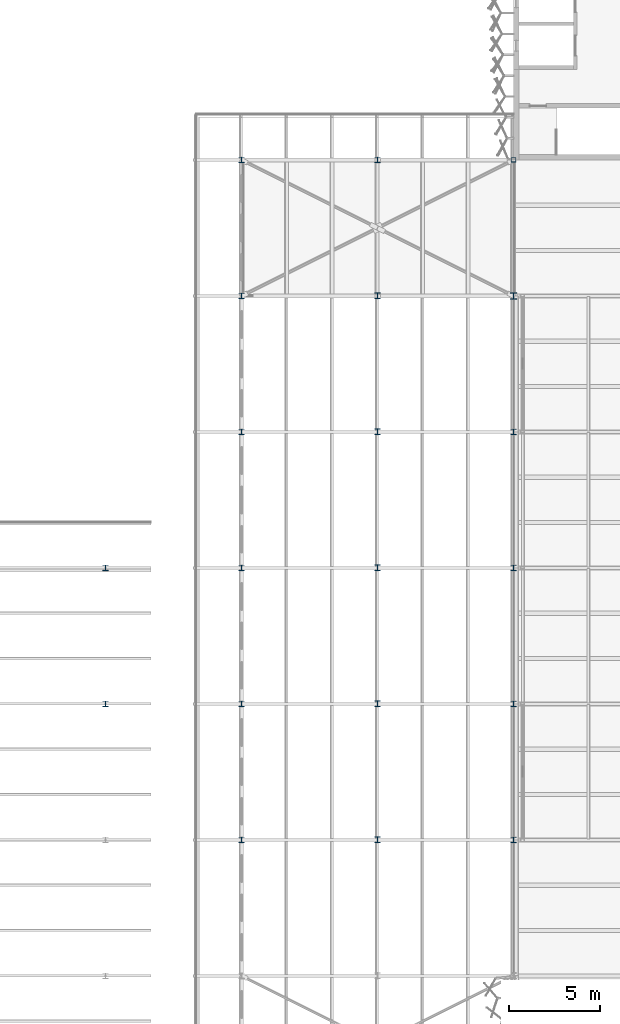
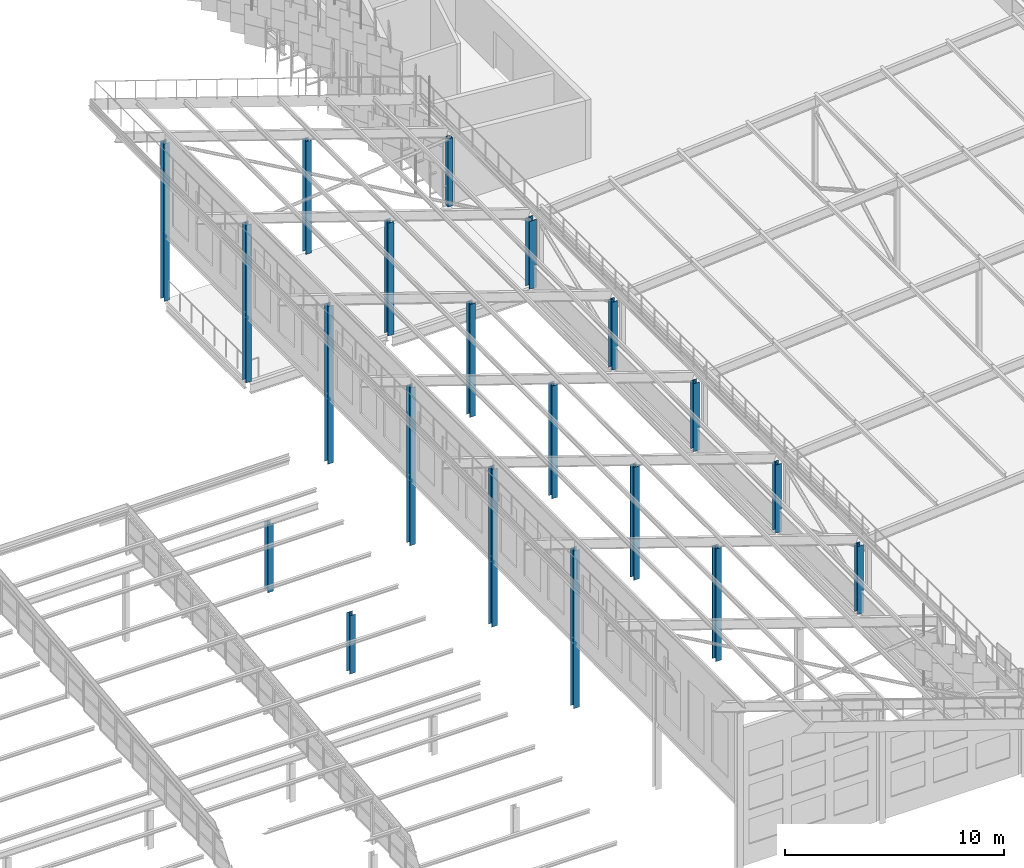
# One storey, part 11 of 483: 20 columns.
"""IFC4 building model written with IfcOpenShell, lengths in metres."""

from ifc_helpers import new_model, si_unit, direction, frame, origin, origin_2d, place, context, subcontext, project, spatial, hollow_rectangle, i_section, extrude, material, material_profile, profile_set, type_object, element, save


model = new_model("IFC4")

# Units and contexts
model_context = context("Model", 3, precision=1e-05, world=origin(), true_north=direction((0.0, 1.0)))
body_context = subcontext(model_context, "Body", "Model", "MODEL_VIEW")
ifc_project = project(units=[si_unit("LENGTHUNIT", "METRE"), si_unit("AREAUNIT", "SQUARE_METRE"), si_unit("VOLUMEUNIT", "CUBIC_METRE"), si_unit("PLANEANGLEUNIT", "RADIAN"), si_unit("MASSUNIT", "GRAM", prefix="KILO")], contexts=[model_context])

# Site, building, storey
site_placement = place(None, origin())
site = spatial("IfcSite", under=ifc_project, at=site_placement, CompositionType="ELEMENT")
building_placement = place(site_placement, origin())
building = spatial("IfcBuilding", under=site, at=building_placement, Name="Parallax Yard Mobility Hub", CompositionType="ELEMENT")
storey_placement = place(building_placement, frame((0.0, 0.0, 13.199951171875)))
storey = spatial("IfcBuildingStorey", under=building, at=storey_placement, Name="L04", CompositionType="ELEMENT", Elevation=13.199951171875)

# Columns
ifc_material_1 = material(Name="Steel ASTM A500 Gr C", Category="steel")
ifc_material_profile_1 = material_profile(ifc_material_1, hollow_rectangle(XDim=0.25390625, YDim=0.25390625, WallThickness=0.0126953125, at=origin_2d()), Name="HSS254x254x12.7")
ifc_profile_set_1 = profile_set([ifc_material_profile_1], Name="Steel ASTM A500 Gr C")
column_type_1 = type_object("IfcColumnType", Name="Roof column HSS254x254x12.7", PredefinedType="COLUMN", material=ifc_profile_set_1)
column_1_placement = place(storey_placement, frame((195.0, 75.0, 0.0), z_axis=(0.0, 0.0, 1.0), x_axis=(1.0, 0.0, 0.0)))
element("IfcColumn", 1, at=column_1_placement, inside=storey, type_object=column_type_1, Name="Roof column 75/195 level L04", PredefinedType="COLUMN", context=body_context, shape_type="SweptSolid", body=[
    extrude(hollow_rectangle(XDim=0.25390625, YDim=0.25390625, WallThickness=0.0126953125, at=origin_2d()), origin(), (0.0, 0.0, 1.0), 3.800048828125),
])
ifc_material_2 = material(Name="Steel ASTM A992", Category="steel")
ifc_material_profile_2 = material_profile(ifc_material_2, i_section(OverallWidth=0.31005859375, OverallDepth=0.327880859375, WebThickness=0.015380859375, FlangeThickness=0.025146484375, FilletRadius=0.015380859375, at=origin_2d()), Name="W310x158")
ifc_profile_set_2 = profile_set([ifc_material_profile_2], Name="Steel ASTM A992")
column_type_2 = type_object("IfcColumnType", Name="W310x158 column", PredefinedType="COLUMN", material=ifc_profile_set_2)
for number, where, z_axis, x_axis, name in (
    (2, (187.5, 37.5, 0.0), (0.0, 0.0, 1.0), (1.0, 0.0, 0.0), "Roof column F/26 level L04"),
    (3, (187.5, 45.0, 0.0), (0.0, 0.0, 1.0), (1.0, 0.0, 0.0), "Roof column G/26 level L04"),
    (4, (187.5, 52.5, 0.0), (0.0, 0.0, 1.0), (1.0, 0.0, 0.0), "Roof column H/26 level L04"),
    (5, (187.5, 60.0, 0.0), (0.0, 0.0, 1.0), (1.0, 0.0, 0.0), "Roof column J/26 level L04"),
    (6, (187.5, 67.5, 0.0), (0.0, 0.0, 1.0), (1.0, 0.0, 0.0), "Roof column K/26 level L04"),
):
    element("IfcColumn", number, at=place(storey_placement, frame(where, z_axis=z_axis, x_axis=x_axis)), inside=storey, type_object=column_type_2, Name=name, PredefinedType="COLUMN", context=body_context, shape_type="SweptSolid", body=[
        extrude(i_section(OverallWidth=0.31005859375, OverallDepth=0.327880859375, WebThickness=0.015380859375, FlangeThickness=0.025146484375, FilletRadius=0.015380859375, at=origin_2d()), origin(), (0.0, 0.0, 1.0), 6.300048828125),
    ])
ifc_material_profile_3 = material_profile(ifc_material_2, i_section(OverallWidth=0.304931640625, OverallDepth=0.306884765625, WebThickness=0.010009765625, FlangeThickness=0.015380859375, FilletRadius=0.01513671875, at=origin_2d()), Name="W310x97")
ifc_profile_set_3 = profile_set([ifc_material_profile_3], Name="Steel ASTM A992")
column_type_3 = type_object("IfcColumnType", Name="W310x97 column", PredefinedType="COLUMN", material=ifc_profile_set_3)
column_2_placement = place(storey_placement, frame((172.5, 45.0, 0.0), z_axis=(0.0, 0.0, 1.0), x_axis=(1.0, 0.0, 0.0)))
element("IfcColumn", 7, at=column_2_placement, inside=storey, type_object=column_type_3, Name="Roof column G/24 level L04", PredefinedType="COLUMN", context=body_context, shape_type="SweptSolid", body=[
    extrude(i_section(OverallWidth=0.304931640625, OverallDepth=0.306884765625, WebThickness=0.010009765625, FlangeThickness=0.015380859375, FilletRadius=0.01513671875, at=origin_2d()), origin(), (0.0, 0.0, 1.0), 3.26171875),
])
column_3_placement = place(storey_placement, frame((172.5, 52.5, 0.0), z_axis=(0.0, 0.0, 1.0), x_axis=(1.0, 0.0, 0.0)))
element("IfcColumn", 8, at=column_3_placement, inside=storey, type_object=column_type_3, Name="Roof column H/24 level L04", PredefinedType="COLUMN", context=body_context, shape_type="SweptSolid", body=[
    extrude(i_section(OverallWidth=0.304931640625, OverallDepth=0.306884765625, WebThickness=0.010009765625, FlangeThickness=0.015380859375, FilletRadius=0.01513671875, at=origin_2d()), origin(), (0.0, 0.0, 1.0), 3.800048828125),
])
for number, where, z_axis, x_axis, name in (
    (9, (180.0, 37.5, 0.0), (0.0, 0.0, 1.0), (1.0, 0.0, 0.0), "Roof column F/25 level L04"),
    (10, (180.0, 45.0, 0.0), (0.0, 0.0, 1.0), (1.0, 0.0, 0.0), "Roof column G/25 level L04"),
    (11, (180.0, 52.5, 0.0), (0.0, 0.0, 1.0), (1.0, 0.0, 0.0), "Roof column H/25 level L04"),
    (12, (180.0, 60.0, 0.0), (0.0, 0.0, 1.0), (1.0, 0.0, 0.0), "Roof column J/25 level L04"),
    (13, (180.0, 67.5, 0.0), (0.0, 0.0, 1.0), (1.0, 0.0, 0.0), "Roof column K/25 level L04"),
    (14, (180.0, 75.0, 0.0), (0.0, 0.0, 1.0), (1.0, 0.0, 0.0), "Roof column L/25 level L04"),
):
    element("IfcColumn", number, at=place(storey_placement, frame(where, z_axis=z_axis, x_axis=x_axis)), inside=storey, type_object=column_type_3, Name=name, PredefinedType="COLUMN", context=body_context, shape_type="SweptSolid", body=[
        extrude(i_section(OverallWidth=0.304931640625, OverallDepth=0.306884765625, WebThickness=0.010009765625, FlangeThickness=0.015380859375, FilletRadius=0.01513671875, at=origin_2d()), origin(), (0.0, 0.0, 1.0), 8.800048828125),
    ])
column_4_placement = place(storey_placement, frame((187.5, 75.0, 0.0), z_axis=(0.0, 0.0, 1.0), x_axis=(1.0, 0.0, 0.0)))
element("IfcColumn", 15, at=column_4_placement, inside=storey, type_object=column_type_3, Name="Roof column L/26 level L04", PredefinedType="COLUMN", context=body_context, shape_type="SweptSolid", body=[
    extrude(i_section(OverallWidth=0.304931640625, OverallDepth=0.306884765625, WebThickness=0.010009765625, FlangeThickness=0.015380859375, FilletRadius=0.01513671875, at=origin_2d()), origin(), (0.0, 0.0, 1.0), 6.300048828125),
])
for number, where, z_axis, x_axis, name in (
    (16, (195.0, 37.5, 0.0), (0.0, 0.0, 1.0), (1.0, 0.0, 0.0), "Roof column 37.5/195 level L04"),
    (17, (195.0, 45.0, 0.0), (0.0, 0.0, 1.0), (1.0, 0.0, 0.0), "Roof column 45/195 level L04"),
    (18, (195.0, 52.5, 0.0), (0.0, 0.0, 1.0), (1.0, 0.0, 0.0), "Roof column 52.5/195 level L04"),
    (19, (195.0, 60.0, 0.0), (0.0, 0.0, 1.0), (1.0, 0.0, 0.0), "Roof column 60/195 level L04"),
):
    element("IfcColumn", number, at=place(storey_placement, frame(where, z_axis=z_axis, x_axis=x_axis)), inside=storey, type_object=column_type_3, Name=name, PredefinedType="COLUMN", context=body_context, shape_type="SweptSolid", body=[
        extrude(i_section(OverallWidth=0.304931640625, OverallDepth=0.306884765625, WebThickness=0.010009765625, FlangeThickness=0.015380859375, FilletRadius=0.01513671875, at=origin_2d()), origin(), (0.0, 0.0, 1.0), 3.800048828125),
    ])
ifc_material_profile_4 = material_profile(ifc_material_2, i_section(OverallWidth=0.373046875, OverallDepth=0.367919921875, WebThickness=0.014892578125, FlangeThickness=0.02392578125, FilletRadius=0.01513671875, at=origin_2d()), Name="W360x179")
ifc_profile_set_4 = profile_set([ifc_material_profile_4], Name="Steel ASTM A992")
column_type_4 = type_object("IfcColumnType", Name="W360x179 column", PredefinedType="COLUMN", material=ifc_profile_set_4)
column_5_placement = place(storey_placement, frame((195.0, 67.5, 0.0), z_axis=(0.0, 0.0, 1.0), x_axis=(1.0, 0.0, 0.0)))
element("IfcColumn", 20, at=column_5_placement, inside=storey, type_object=column_type_4, Name="Roof column 67.5/195 level L04", PredefinedType="COLUMN", context=body_context, shape_type="SweptSolid", body=[
    extrude(i_section(OverallWidth=0.373046875, OverallDepth=0.367919921875, WebThickness=0.014892578125, FlangeThickness=0.02392578125, FilletRadius=0.01513671875, at=origin_2d()), origin(), (0.0, 0.0, 1.0), 3.800048828125),
])

save(model, "model.ifc")
